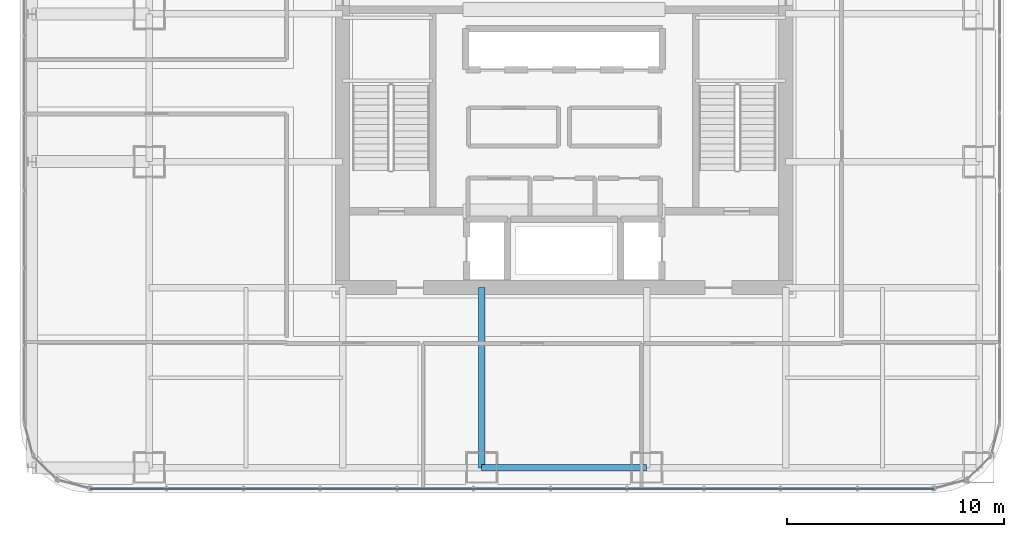
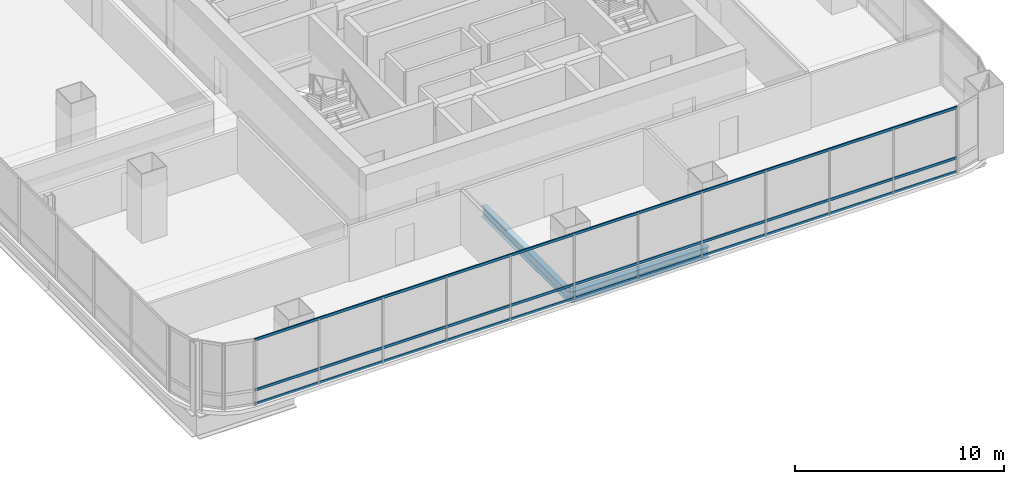
# One storey, part 8 of 37: 3 members, 2 beams, 1 element without a shape of its own.
"""IFC4 building model written with IfcOpenShell, lengths in metres."""

from ifc_helpers import new_model, si_unit, direction, frame, origin, origin_2d, place, context, subcontext, project, spatial, hollow_rectangle, i_section, extrude, material, material_profile, profile_set, type_object, element, aggregate, save


model = new_model("IFC4")

# Units and contexts
model_context = context("Model", 3, precision=1e-05, world=origin(), true_north=direction((0.0, 1.0)))
body_context = subcontext(model_context, "Body", "Model", "MODEL_VIEW")
ifc_project = project(units=[si_unit("LENGTHUNIT", "METRE"), si_unit("AREAUNIT", "SQUARE_METRE"), si_unit("VOLUMEUNIT", "CUBIC_METRE"), si_unit("PLANEANGLEUNIT", "RADIAN"), si_unit("MASSUNIT", "GRAM", prefix="KILO")], contexts=[model_context])

# Site, building, storey
site_placement = place(None, origin())
site = spatial("IfcSite", under=ifc_project, at=site_placement, CompositionType="ELEMENT")
building_placement = place(site_placement, origin())
building = spatial("IfcBuilding", under=site, at=building_placement, Name="Punatoya Terracotta Tower", CompositionType="ELEMENT")
storey_placement = place(building_placement, frame((0.0, 0.0, 164.10009765625)))
storey = spatial("IfcBuildingStorey", under=building, at=storey_placement, Name="L38", CompositionType="ELEMENT", Elevation=164.10009765625)

# Beams
ifc_material_1 = material(Name="Steel S355", Category="steel")
ifc_material_profile_1 = material_profile(ifc_material_1, i_section(OverallWidth=0.300048828125, OverallDepth=0.64990234375, WebThickness=0.01611328125, FlangeThickness=0.031005859375, FilletRadius=0.01806640625, at=origin_2d()))
ifc_profile_set_1 = profile_set([ifc_material_profile_1], Name="Steel S355")
beam_type = type_object("IfcBeamType", Name="BM-PRI-650", PredefinedType="BEAM", material=ifc_profile_set_1)
beam_1_placement = place(storey_placement, frame((-3.800048828125, -17.5, -0.545166015625), z_axis=(1.0, 0.0, 0.0), x_axis=(0.0, 1.0, 0.0)))
element("IfcBeam", 1, at=beam_1_placement, inside=storey, type_object=beam_type, Name="BM-L38-RG-S2", PredefinedType="BEAM", context=body_context, shape_type="SweptSolid", body=[
    extrude(i_section(OverallWidth=0.300048828125, OverallDepth=0.64990234375, WebThickness=0.01611328125, FlangeThickness=0.031005859375, FilletRadius=0.01806640625, at=origin_2d()), origin(), (0.0, 0.0, 1.0), 7.60009765625),
])
beam_2_placement = place(storey_placement, frame((-3.800048828125, -17.5, -0.545166015625), z_axis=(0.0, 1.0, 0.0), x_axis=(-1.0, 0.0, 0.0)))
element("IfcBeam", 2, at=beam_2_placement, inside=storey, type_object=beam_type, Name="BM-L38-PR-S2", PredefinedType="BEAM", context=body_context, shape_type="SweptSolid", body=[
    extrude(i_section(OverallWidth=0.300048828125, OverallDepth=0.64990234375, WebThickness=0.01611328125, FlangeThickness=0.031005859375, FilletRadius=0.01806640625, at=origin_2d()), origin(), (0.0, 0.0, 1.0), 8.300048828125),
])

# Curtain wall, members
ifc_material_2 = material(Name="Aluminium 6063-T6 + Double Low-E Glass", Category="aluminium")
curtain_wall_type = type_object("IfcCurtainWallType", Name="CW-M2", PredefinedType="NOTDEFINED", material=ifc_material_2)
curtain_wall_placement = place(storey_placement, origin())
curtain_wall = element("IfcCurtainWall", 3, at=curtain_wall_placement, inside=storey, type_object=curtain_wall_type, Name="L38 Curtain Wall CW-L38-S01-1", PredefinedType="NOTDEFINED")
ifc_material_3 = material(Name="Aluminium 6063-T6", Category="aluminium")
ifc_material_profile_2 = material_profile(ifc_material_3, hollow_rectangle(XDim=0.068115234375, YDim=0.14990234375, WallThickness=0.00390625, at=origin_2d()))
ifc_profile_set_2 = profile_set([ifc_material_profile_2], Name="Aluminium 6063-T6")
member_type = type_object("IfcMemberType", Name="CW-TRN-TYP", PredefinedType="USERDEFINED", material=ifc_profile_set_2)
member_1_placement = place(storey_placement, frame((-21.8369140625, -18.449951171875, 0.039794921875), z_axis=(1.0, 0.0, 0.0), x_axis=(0.0, 1.0, 0.0)))
member_1 = element("IfcMember", 4, at=member_1_placement, type_object=member_type, Name="CW-L38-S01-1 Transom 1", ObjectType="TRANSOM", PredefinedType="USERDEFINED", context=body_context, shape_type="SweptSolid", body=[
    extrude(hollow_rectangle(XDim=0.068115234375, YDim=0.14990234375, WallThickness=0.00390625, at=origin_2d()), origin(), (0.0, 0.0, 1.0), 38.873779296875),
])
member_2_placement = place(storey_placement, frame((-21.8369140625, -18.449951171875, 0.849853515625), z_axis=(1.0, 0.0, 0.0), x_axis=(0.0, 1.0, 0.0)))
member_2 = element("IfcMember", 5, at=member_2_placement, type_object=member_type, Name="CW-L38-S01-1 Transom 2", ObjectType="TRANSOM", PredefinedType="USERDEFINED", context=body_context, shape_type="SweptSolid", body=[
    extrude(hollow_rectangle(XDim=0.068115234375, YDim=0.14990234375, WallThickness=0.00390625, at=origin_2d()), origin(), (0.0, 0.0, 1.0), 38.873779296875),
])
member_3_placement = place(storey_placement, frame((-21.8369140625, -18.449951171875, 3.789794921875), z_axis=(1.0, 0.0, 0.0), x_axis=(0.0, 1.0, 0.0)))
member_3 = element("IfcMember", 6, at=member_3_placement, type_object=member_type, Name="CW-L38-S01-1 Transom 3", ObjectType="TRANSOM", PredefinedType="USERDEFINED", context=body_context, shape_type="SweptSolid", body=[
    extrude(hollow_rectangle(XDim=0.068115234375, YDim=0.14990234375, WallThickness=0.00390625, at=origin_2d()), origin(), (0.0, 0.0, 1.0), 38.873779296875),
])
aggregate(curtain_wall, [member_1, member_2, member_3])

save(model, "model.ifc")
